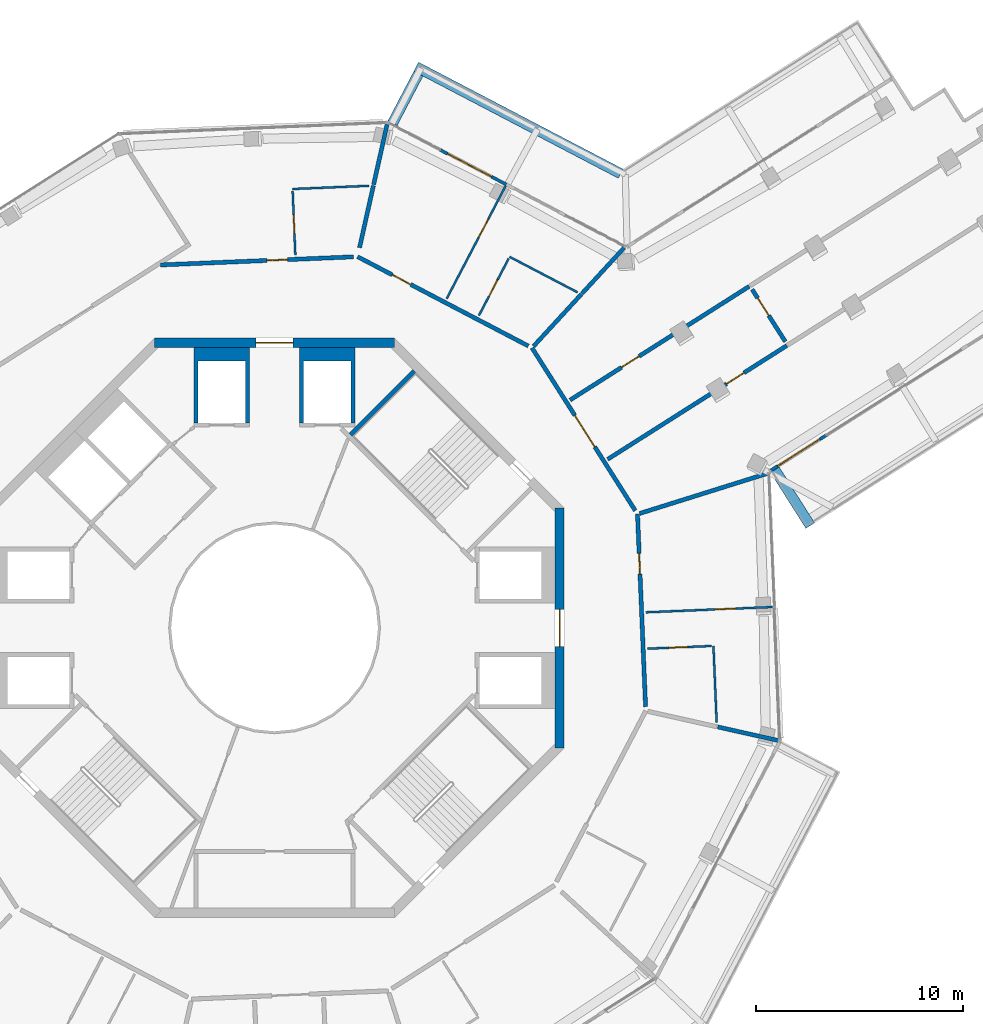
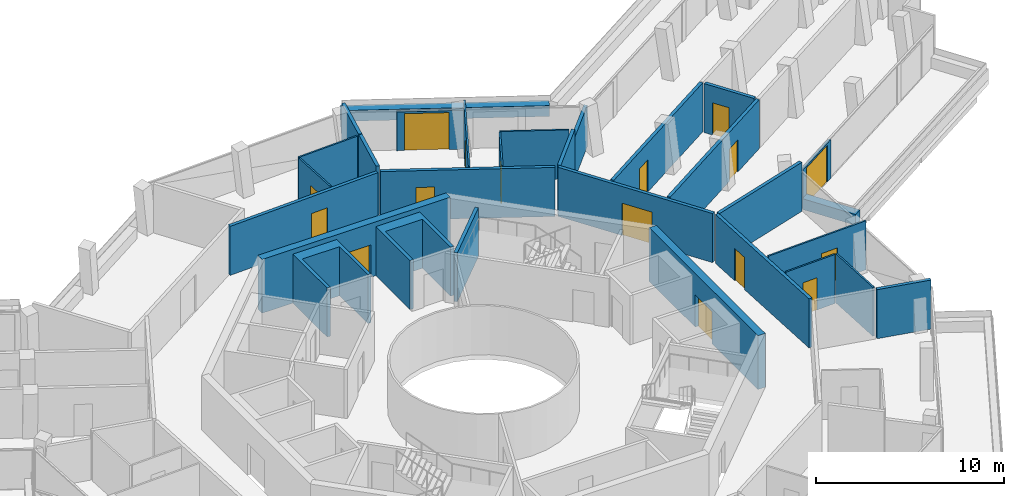
# One storey, part 19 of 23: 31 walls, 16 doors, 16 openings.
"""IFC4 building model written with IfcOpenShell, lengths in metres."""

from ifc_helpers import new_model, si_unit, direction, frame, frame_2d, origin, place, context, subcontext, project, spatial, polyline, rectangle, outline, extrude, material, layer, layer_set, type_object, element, fill, save


model = new_model("IFC4")

# Units and contexts
model_context = context("Model", 3, precision=1e-05, world=origin(), true_north=direction((0.0, 1.0)))
body_context = subcontext(model_context, "Body", "Model", "MODEL_VIEW")
ifc_project = project(units=[si_unit("LENGTHUNIT", "METRE"), si_unit("AREAUNIT", "SQUARE_METRE"), si_unit("VOLUMEUNIT", "CUBIC_METRE"), si_unit("PLANEANGLEUNIT", "RADIAN"), si_unit("MASSUNIT", "GRAM", prefix="KILO")], contexts=[model_context])

# Site, building, storey
site_placement = place(None, origin())
site = spatial("IfcSite", under=ifc_project, at=site_placement, CompositionType="ELEMENT")
building_placement = place(site_placement, origin())
building = spatial("IfcBuilding", under=site, at=building_placement, Name="Verdalira Terraces Hotel", CompositionType="ELEMENT")
storey_placement = place(building_placement, frame((0.0, 0.0, 288.0)))
storey = spatial("IfcBuildingStorey", under=building, at=storey_placement, Name="L71", CompositionType="ELEMENT", Elevation=288.0)

# Walls
ifc_material_1 = material(Name="Concrete C40", Category="concrete")
ifc_layer_1 = layer(ifc_material_1, 0.5)
ifc_layer_set_1 = layer_set([ifc_layer_1], Name="Balcony planter trough with tree")
wall_type_1 = type_object("IfcWallType", Name="Balcony planter trough with tree", PredefinedType="SOLIDWALL", material=ifc_layer_set_1)
wall_1_placement = place(storey_placement, frame((24.176514, 7.643311, 0.0), z_axis=(0.0, 0.0, 1.0), x_axis=(0.535803515, -0.844342699, 0.0)))
element("IfcWall", 1, at=wall_1_placement, inside=storey, type_object=wall_type_1, Name="Balcony planter", PredefinedType="SOLIDWALL", context=body_context, shape_type="SweptSolid", body=[
    extrude(rectangle(XDim=3.199219, YDim=0.5, at=frame_2d((1.599609, 0.0))), origin(), (0.0, 0.0, 1.0), 0.699951),
])
wall_2_placement = place(storey_placement, frame((16.728516, 21.956543, 0.0), z_axis=(0.0, 0.0, 1.0), x_axis=(-0.886198889, 0.463305007, 0.0)))
element("IfcWall", 2, at=wall_2_placement, inside=storey, type_object=wall_type_1, Name="Balcony planter", PredefinedType="SOLIDWALL", context=body_context, shape_type="SweptSolid", body=[
    extrude(rectangle(XDim=11.152344, YDim=0.5, at=frame_2d((5.576172, 0.0))), origin(), (0.0, 0.0, 1.0), 0.699951),
])
wall_3_placement = place(storey_placement, frame((6.950928, 26.786133, 0.0), z_axis=(0.0, 0.0, 1.0), x_axis=(-0.463313949, -0.886194214, 0.0)))
element("IfcWall", 3, at=wall_3_placement, inside=storey, type_object=wall_type_1, Name="Balcony planter", PredefinedType="SOLIDWALL", context=body_context, shape_type="SweptSolid", body=[
    extrude(rectangle(XDim=2.698975, YDim=0.5, at=frame_2d((1.349609, 0.0))), origin(), (0.0, 0.0, 1.0), 0.699951),
])

# Wall, opening, door
ifc_material_2 = material(Name="Moisture-resistant gypsum board partition")
ifc_layer_2 = layer(ifc_material_2, 0.10009765625)
ifc_layer_set_2 = layer_set([ifc_layer_2], Name="Bathroom partition 100 mm")
wall_type_2 = type_object("IfcWallType", Name="Bathroom partition 100 mm", PredefinedType="PARTITIONING", material=ifc_layer_set_2)
wall_4_placement = place(storey_placement, frame((0.875, 21.113525, 0.0), z_axis=(0.0, 0.0, 1.0), x_axis=(0.041895869, -0.999121983, 0.0)))
wall_4 = element("IfcWall", 4, at=wall_4_placement, inside=storey, type_object=wall_type_2, Name="Bathroom partition", PredefinedType="PARTITIONING", context=body_context, shape_type="SweptSolid", body=[
    extrude(rectangle(XDim=3.100098, YDim=0.100098, at=frame_2d((1.550049, 0.0))), origin(), (0.0, 0.0, 1.0), 3.189941),
])
opening_1_placement = place(wall_4_placement, frame((1.149902, 0.0, 0.0)))
opening_1 = element("IfcOpeningElement", 5, at=opening_1_placement, cuts=wall_4, Name="Opening L71-132", PredefinedType="OPENING", context=body_context, shape_type="SweptSolid", body=[
    extrude(rectangle(XDim=0.899902, YDim=2.100098, at=frame_2d((0.449951, 1.050049))), frame((0.0, 0.060059, 0.0), z_axis=(0.0, -1.0, 0.0), x_axis=(1.0, 0.0, 0.0)), (0.0, 0.0, 1.0), 0.120117),
])
ifc_material_3 = material(Name="Timber door", Category="wood")
door_type_1 = type_object("IfcDoorType", Name="Bathroom door 900 x 2100", OperationType="NOTDEFINED", PredefinedType="DOOR", material=ifc_material_3)
door_1_placement = place(opening_1_placement, origin())
door_1 = element("IfcDoor", 6, at=door_1_placement, inside=storey, type_object=door_type_1, Name="Bathroom door 7111", OperationType="SINGLE_SWING_LEFT", OverallHeight=2.10009765625, OverallWidth=0.89990234375, PredefinedType="DOOR", context=body_context, shape_type="SweptSolid", body=[
    extrude(rectangle(XDim=0.899902, YDim=2.100098, at=frame_2d((0.449951, 1.050049))), frame((0.0, 0.024902, 0.0), z_axis=(0.0, -1.0, 0.0), x_axis=(1.0, 0.0, 0.0)), (0.0, 0.0, 1.0), 0.050049),
])
fill(opening_1, door_1)

# Wall
wall_5_placement = place(storey_placement, frame((0.87085, 21.213379, 0.0), z_axis=(0.0, 0.0, 1.0), x_axis=(0.99912368, 0.041855359, 0.0)))
element("IfcWall", 7, at=wall_5_placement, inside=storey, type_object=wall_type_2, Name="Bathroom partition", PredefinedType="PARTITIONING", context=body_context, shape_type="SweptSolid", body=[
    extrude(rectangle(XDim=3.703857, YDim=0.100098, at=frame_2d((1.852051, 0.0))), origin(), (0.0, 0.0, 1.0), 3.189941),
])

# Wall, opening, door
wall_6_placement = place(storey_placement, frame((11.169189, 21.36499, 0.0), z_axis=(0.0, 0.0, 1.0), x_axis=(-0.46327405, -0.886215072, 0.0)))
wall_6 = element("IfcWall", 8, at=wall_6_placement, inside=storey, type_object=wall_type_2, Name="Bathroom partition", PredefinedType="PARTITIONING", context=body_context, shape_type="SweptSolid", body=[
    extrude(rectangle(XDim=6.149902, YDim=0.100098, at=frame_2d((3.074951, 0.0))), origin(), (0.0, 0.0, 1.0), 3.189941),
])
opening_2_placement = place(wall_6_placement, frame((1.800049, 0.0, 0.0)))
opening_2 = element("IfcOpeningElement", 9, at=opening_2_placement, cuts=wall_6, Name="Opening L71-129", PredefinedType="OPENING", context=body_context, shape_type="SweptSolid", body=[
    extrude(rectangle(XDim=1.0, YDim=2.100098, at=frame_2d((0.5, 1.050049))), frame((0.0, 0.060059, 0.0), z_axis=(0.0, -1.0, 0.0), x_axis=(1.0, 0.0, 0.0)), (0.0, 0.0, 1.0), 0.120117),
])
ifc_material_4 = material(Name="Timber door", Category="wood")
door_type_2 = type_object("IfcDoorType", Name="Suite internal door 1000 x 2100", OperationType="NOTDEFINED", PredefinedType="DOOR", material=ifc_material_4)
door_2_placement = place(opening_2_placement, origin())
door_2 = element("IfcDoor", 10, at=door_2_placement, inside=storey, type_object=door_type_2, Name="Suite internal door 7110", OperationType="SINGLE_SWING_LEFT", OverallHeight=2.10009765625, OverallWidth=1.0, PredefinedType="DOOR", context=body_context, shape_type="SweptSolid", body=[
    extrude(rectangle(XDim=1.0, YDim=2.100098, at=frame_2d((0.5, 1.050049))), frame((0.0, 0.024902, 0.0), z_axis=(0.0, -1.0, 0.0), x_axis=(1.0, 0.0, 0.0)), (0.0, 0.0, 1.0), 0.050049),
])
fill(opening_2, door_2)

wall_7_placement = place(storey_placement, frame((11.314453, 17.847412, 0.0), z_axis=(0.0, 0.0, 1.0), x_axis=(-0.463238746, -0.886233527, 0.0)))
wall_7 = element("IfcWall", 11, at=wall_7_placement, inside=storey, type_object=wall_type_2, Name="Bathroom partition", PredefinedType="PARTITIONING", context=body_context, shape_type="SweptSolid", body=[
    extrude(rectangle(XDim=3.100098, YDim=0.100098, at=frame_2d((1.550049, 0.0))), origin(), (0.0, 0.0, 1.0), 3.189941),
])
opening_3_placement = place(wall_7_placement, frame((1.149902, 0.0, 0.0)))
opening_3 = element("IfcOpeningElement", 12, at=opening_3_placement, cuts=wall_7, Name="Opening L71-130", PredefinedType="OPENING", context=body_context, shape_type="SweptSolid", body=[
    extrude(rectangle(XDim=0.899902, YDim=2.100098, at=frame_2d((0.449951, 1.050049))), frame((0.0, 0.060059, 0.0), z_axis=(0.0, -1.0, 0.0), x_axis=(1.0, 0.0, 0.0)), (0.0, 0.0, 1.0), 0.120117),
])
door_3_placement = place(opening_3_placement, origin())
door_3 = element("IfcDoor", 13, at=door_3_placement, inside=storey, type_object=door_type_1, Name="Bathroom door 7110", OperationType="SINGLE_SWING_LEFT", OverallHeight=2.10009765625, OverallWidth=0.89990234375, PredefinedType="DOOR", context=body_context, shape_type="SweptSolid", body=[
    extrude(rectangle(XDim=0.899902, YDim=2.100098, at=frame_2d((0.449951, 1.050049))), frame((0.0, 0.024902, 0.0), z_axis=(0.0, -1.0, 0.0), x_axis=(1.0, 0.0, 0.0)), (0.0, 0.0, 1.0), 0.050049),
])
fill(opening_3, door_3)

# Wall
wall_8_placement = place(storey_placement, frame((14.643311, 16.219971, 0.0), z_axis=(0.0, 0.0, 1.0), x_axis=(-0.886200227, 0.463302447, 0.0)))
element("IfcWall", 14, at=wall_8_placement, inside=storey, type_object=wall_type_2, Name="Bathroom partition", PredefinedType="PARTITIONING", context=body_context, shape_type="SweptSolid", body=[
    extrude(rectangle(XDim=3.704102, YDim=0.100098, at=frame_2d((1.852051, 0.0))), origin(), (0.0, 0.0, 1.0), 3.189941),
])

# Wall, opening, door
wall_9_placement = place(storey_placement, frame((21.113525, -0.875, 0.0), z_axis=(0.0, 0.0, 1.0), x_axis=(-0.999121983, -0.041895869, 0.0)))
wall_9 = element("IfcWall", 15, at=wall_9_placement, inside=storey, type_object=wall_type_2, Name="Bathroom partition", PredefinedType="PARTITIONING", context=body_context, shape_type="SweptSolid", body=[
    extrude(rectangle(XDim=3.100098, YDim=0.100098, at=frame_2d((1.550049, 0.0))), origin(), (0.0, 0.0, 1.0), 3.189941),
])
opening_4_placement = place(wall_9_placement, frame((1.149902, 0.0, 0.0)))
opening_4 = element("IfcOpeningElement", 16, at=opening_4_placement, cuts=wall_9, Name="Opening L71-123", PredefinedType="OPENING", context=body_context, shape_type="SweptSolid", body=[
    extrude(rectangle(XDim=0.899902, YDim=2.100098, at=frame_2d((0.449951, 1.050049))), frame((0.0, 0.060059, 0.0), z_axis=(0.0, -1.0, 0.0), x_axis=(1.0, 0.0, 0.0)), (0.0, 0.0, 1.0), 0.120117),
])
door_4_placement = place(opening_4_placement, origin())
door_4 = element("IfcDoor", 17, at=door_4_placement, inside=storey, type_object=door_type_1, Name="Bathroom door 7108", OperationType="SINGLE_SWING_LEFT", OverallHeight=2.10009765625, OverallWidth=0.89990234375, PredefinedType="DOOR", context=body_context, shape_type="SweptSolid", body=[
    extrude(rectangle(XDim=0.899902, YDim=2.100098, at=frame_2d((0.449951, 1.050049))), frame((0.0, 0.024902, 0.0), z_axis=(0.0, -1.0, 0.0), x_axis=(1.0, 0.0, 0.0)), (0.0, 0.0, 1.0), 0.050049),
])
fill(opening_4, door_4)

wall_10_placement = place(storey_placement, frame((24.087158, 1.009521, 0.0), z_axis=(0.0, 0.0, 1.0), x_axis=(-0.999122584, -0.041881529, 0.0)))
wall_10 = element("IfcWall", 18, at=wall_10_placement, inside=storey, type_object=wall_type_2, Name="Bathroom partition", PredefinedType="PARTITIONING", context=body_context, shape_type="SweptSolid", body=[
    extrude(rectangle(XDim=6.149902, YDim=0.100098, at=frame_2d((3.074951, 0.0))), origin(), (0.0, 0.0, 1.0), 3.189941),
])
opening_5_placement = place(wall_10_placement, frame((1.800049, 0.0, 0.0)))
opening_5 = element("IfcOpeningElement", 19, at=opening_5_placement, cuts=wall_10, Name="Opening L71-122", PredefinedType="OPENING", context=body_context, shape_type="SweptSolid", body=[
    extrude(rectangle(XDim=1.0, YDim=2.100098, at=frame_2d((0.5, 1.050049))), frame((0.0, 0.060059, 0.0), z_axis=(0.0, -1.0, 0.0), x_axis=(1.0, 0.0, 0.0)), (0.0, 0.0, 1.0), 0.120117),
])
door_5_placement = place(opening_5_placement, origin())
door_5 = element("IfcDoor", 20, at=door_5_placement, inside=storey, type_object=door_type_2, Name="Suite internal door 7108", OperationType="SINGLE_SWING_LEFT", OverallHeight=2.10009765625, OverallWidth=1.0, PredefinedType="DOOR", context=body_context, shape_type="SweptSolid", body=[
    extrude(rectangle(XDim=1.0, YDim=2.100098, at=frame_2d((0.5, 1.050049))), frame((0.0, 0.024902, 0.0), z_axis=(0.0, -1.0, 0.0), x_axis=(1.0, 0.0, 0.0)), (0.0, 0.0, 1.0), 0.050049),
])
fill(opening_5, door_5)

# Walls
wall_11_placement = place(storey_placement, frame((21.368408, -4.571533, 0.0), z_axis=(0.0, 0.0, 1.0), x_axis=(-0.041855359, 0.99912368, 0.0)))
element("IfcWall", 21, at=wall_11_placement, inside=storey, type_object=wall_type_2, Name="Bathroom partition", PredefinedType="PARTITIONING", context=body_context, shape_type="SweptSolid", body=[
    extrude(rectangle(XDim=3.703857, YDim=0.100098, at=frame_2d((1.852051, 0.0))), origin(), (0.0, 0.0, 1.0), 3.189941),
])
ifc_material_5 = material(Name="Concrete C50", Category="concrete")
ifc_layer_3 = layer(ifc_material_5, 0.199951171875)
ifc_layer_set_3 = layer_set([ifc_layer_3], Name="Core RC wall 200 C50")
wall_type_3 = type_object("IfcWallType", Name="Core RC wall 200 C50", PredefinedType="SOLIDWALL", material=ifc_layer_set_3)
wall_12_placement = place(storey_placement, origin())
element("IfcWall", 22, at=wall_12_placement, inside=storey, type_object=wall_type_3, Name="L71 shaft wall N1", PredefinedType="SOLIDWALL", context=body_context, shape_type="SweptSolid", body=[
    extrude(outline(polyline([(3.899902, 9.899902), (3.699951, 9.899902), (3.699951, 12.899902), (1.399902, 12.899902), (1.399902, 9.899902), (1.199951, 9.899902), (1.199951, 13.550049), (3.899902, 13.550049), (3.899902, 9.899902)])), origin(), (0.0, 0.0, 1.0), 3.189941),
])
wall_13_placement = place(storey_placement, origin())
element("IfcWall", 23, at=wall_13_placement, inside=storey, type_object=wall_type_3, Name="L71 shaft wall N2", PredefinedType="SOLIDWALL", context=body_context, shape_type="SweptSolid", body=[
    extrude(outline(polyline([(-3.899902, 13.550049), (-1.199951, 13.550049), (-1.199951, 9.899902), (-1.399902, 9.899902), (-1.399902, 12.899902), (-3.699951, 12.899902), (-3.699951, 9.899902), (-3.899902, 9.899902), (-3.899902, 13.550049)])), origin(), (0.0, 0.0, 1.0), 3.189941),
])
wall_14_placement = place(storey_placement, frame((3.677002, 9.33374, 0.0), z_axis=(0.0, 0.0, 1.0), x_axis=(0.707106781, 0.707106781, 0.0)))
element("IfcWall", 24, at=wall_14_placement, inside=storey, type_object=wall_type_3, Name="L71 stair ST1 end wall 2", PredefinedType="SOLIDWALL", context=body_context, shape_type="SweptSolid", body=[
    extrude(rectangle(XDim=4.350098, YDim=0.199951, at=frame_2d((2.175049, 0.0))), origin(), (0.0, 0.0, 1.0), 3.189941),
])

# Wall, opening, door
ifc_material_6 = material(Name="Concrete C50", Category="concrete")
ifc_layer_4 = layer(ifc_material_6, 0.449951171875)
ifc_layer_set_4 = layer_set([ifc_layer_4], Name="Core wall 450 C50")
wall_type_4 = type_object("IfcWallType", Name="Core wall 450 C50", PredefinedType="SHEAR", material=ifc_layer_set_4)
wall_15_placement = place(storey_placement, frame((13.774902, -5.799072, 0.0), z_axis=(0.0, 0.0, 1.0), x_axis=(0.0, 1.0, 0.0)))
wall_15 = element("IfcWall", 25, at=wall_15_placement, inside=storey, type_object=wall_type_4, Name="Core wall CW-L71-1", PredefinedType="SHEAR", context=body_context, shape_type="SweptSolid", body=[
    extrude(rectangle(XDim=11.598145, YDim=0.449951, at=frame_2d((5.799072, 0.0))), origin(), (0.0, 0.0, 1.0), 3.5),
])
opening_6_placement = place(wall_15_placement, frame((4.898926, 0.0, 0.0)))
opening_6 = element("IfcOpeningElement", 26, at=opening_6_placement, cuts=wall_15, Name="Opening L71-813", PredefinedType="OPENING", context=body_context, shape_type="SweptSolid", body=[
    extrude(rectangle(XDim=1.800049, YDim=2.100098, at=frame_2d((0.899902, 1.050049))), frame((0.0, 0.234863, 0.0), z_axis=(0.0, -1.0, 0.0), x_axis=(1.0, 0.0, 0.0)), (0.0, 0.0, 1.0), 0.469971),
])
ifc_material_7 = material(Name="Steel fire door", Category="steel")
door_type_3 = type_object("IfcDoorType", Name="Core entry door pair 1800 x 2100", OperationType="NOTDEFINED", PredefinedType="DOOR", material=ifc_material_7)
door_6_placement = place(opening_6_placement, origin())
door_6 = element("IfcDoor", 27, at=door_6_placement, inside=storey, type_object=door_type_3, Name="Core entry door L71 0", OperationType="DOUBLE_DOOR_SINGLE_SWING", OverallHeight=2.10009765625, OverallWidth=1.800048828125, PredefinedType="DOOR", context=body_context, shape_type="SweptSolid", body=[
    extrude(rectangle(XDim=1.800049, YDim=2.100098, at=frame_2d((0.899902, 1.050049))), frame((0.0, 0.024902, 0.0), z_axis=(0.0, -1.0, 0.0), x_axis=(1.0, 0.0, 0.0)), (0.0, 0.0, 1.0), 0.050049),
])
fill(opening_6, door_6)

wall_16_placement = place(storey_placement, frame((5.799072, 13.774902, 0.0), z_axis=(0.0, 0.0, 1.0), x_axis=(-1.0, 0.0, 0.0)))
wall_16 = element("IfcWall", 28, at=wall_16_placement, inside=storey, type_object=wall_type_4, Name="Core wall CW-L71-3", PredefinedType="SHEAR", context=body_context, shape_type="SweptSolid", body=[
    extrude(rectangle(XDim=11.598145, YDim=0.449951, at=frame_2d((5.799072, 0.0))), origin(), (0.0, 0.0, 1.0), 3.5),
])
opening_7_placement = place(wall_16_placement, frame((4.898926, 0.0, 0.0)))
opening_7 = element("IfcOpeningElement", 29, at=opening_7_placement, cuts=wall_16, Name="Opening L71-814", PredefinedType="OPENING", context=body_context, shape_type="SweptSolid", body=[
    extrude(rectangle(XDim=1.800049, YDim=2.100098, at=frame_2d((0.899902, 1.050049))), frame((0.0, 0.234863, 0.0), z_axis=(0.0, -1.0, 0.0), x_axis=(1.0, 0.0, 0.0)), (0.0, 0.0, 1.0), 0.469971),
])
door_7_placement = place(opening_7_placement, origin())
door_7 = element("IfcDoor", 30, at=door_7_placement, inside=storey, type_object=door_type_3, Name="Core entry door L71 2", OperationType="DOUBLE_DOOR_SINGLE_SWING", OverallHeight=2.10009765625, OverallWidth=1.800048828125, PredefinedType="DOOR", context=body_context, shape_type="SweptSolid", body=[
    extrude(rectangle(XDim=1.800049, YDim=2.100098, at=frame_2d((0.899902, 1.050049))), frame((0.0, 0.024902, 0.0), z_axis=(0.0, -1.0, 0.0), x_axis=(1.0, 0.0, 0.0)), (0.0, 0.0, 1.0), 0.050049),
])
fill(opening_7, door_7)

# Walls
ifc_material_8 = material(Name="Fire-rated gypsum board wall")
ifc_layer_5 = layer(ifc_material_8, 0.199951171875)
ifc_layer_set_5 = layer_set([ifc_layer_5], Name="Demising wall 200 mm")
wall_type_5 = type_object("IfcWallType", Name="Demising wall 200 mm", PredefinedType="SOLIDWALL", material=ifc_layer_set_5)
wall_17_placement = place(storey_placement, frame((4.108154, 18.378418, 0.0), z_axis=(0.0, 0.0, 1.0), x_axis=(0.218115714, 0.975922915, 0.0)))
element("IfcWall", 31, at=wall_17_placement, inside=storey, type_object=wall_type_5, Name="Demising wall", PredefinedType="SOLIDWALL", context=body_context, shape_type="SweptSolid", body=[
    extrude(rectangle(XDim=3.074707, YDim=0.199951, at=frame_2d((1.537354, 0.0))), origin(), (0.0, 0.0, 1.0), 3.189941),
])
wall_18_placement = place(storey_placement, frame((4.788818, 21.424072, 0.0), z_axis=(0.0, 0.0, 1.0), x_axis=(0.218175034, 0.975909655, 0.0)))
element("IfcWall", 32, at=wall_18_placement, inside=storey, type_object=wall_type_5, Name="Demising wall", PredefinedType="SOLIDWALL", context=body_context, shape_type="SweptSolid", body=[
    extrude(rectangle(XDim=3.01123, YDim=0.199951, at=frame_2d((1.505615, 0.0))), origin(), (0.0, 0.0, 1.0), 3.189941),
])
wall_19_placement = place(storey_placement, frame((12.514404, 13.609131, 0.0), z_axis=(0.0, 0.0, 1.0), x_axis=(0.676846081, 0.73612457, 0.0)))
element("IfcWall", 33, at=wall_19_placement, inside=storey, type_object=wall_type_5, Name="Demising wall", PredefinedType="SOLIDWALL", context=body_context, shape_type="SweptSolid", body=[
    extrude(rectangle(XDim=3.418457, YDim=0.199951, at=frame_2d((1.709229, 0.0))), origin(), (0.0, 0.0, 1.0), 3.189941),
])

# Wall, opening, door
wall_20_placement = place(storey_placement, frame((14.281494, 11.010986, 0.0), z_axis=(0.0, 0.0, 1.0), x_axis=(0.844321754, 0.535836519, 0.0)))
wall_20 = element("IfcWall", 34, at=wall_20_placement, inside=storey, type_object=wall_type_5, Name="Demising wall", PredefinedType="SOLIDWALL", context=body_context, shape_type="SweptSolid", body=[
    extrude(rectangle(XDim=10.251953, YDim=0.199951, at=frame_2d((5.125977, 0.0))), origin(), (0.0, 0.0, 1.0), 3.189941),
])
opening_8_placement = place(wall_20_placement, frame((2.949951, 0.0, 0.0)))
opening_8 = element("IfcOpeningElement", 35, at=opening_8_placement, cuts=wall_20, Name="Opening L71-126", PredefinedType="OPENING", context=body_context, shape_type="SweptSolid", body=[
    extrude(rectangle(XDim=1.0, YDim=2.100098, at=frame_2d((0.5, 1.050049))), frame((0.0, 0.109863, 0.0), z_axis=(0.0, -1.0, 0.0), x_axis=(1.0, 0.0, 0.0)), (0.0, 0.0, 1.0), 0.219971),
])
ifc_material_9 = material(Name="Timber fire door", Category="wood")
door_type_4 = type_object("IfcDoorType", Name="Public room door 1000 x 2100", OperationType="NOTDEFINED", PredefinedType="DOOR", material=ifc_material_9)
door_8_placement = place(opening_8_placement, origin())
door_8 = element("IfcDoor", 36, at=door_8_placement, inside=storey, type_object=door_type_4, Name="Public room door 7109", OperationType="SINGLE_SWING_LEFT", OverallHeight=2.10009765625, OverallWidth=1.0, PredefinedType="DOOR", context=body_context, shape_type="SweptSolid", body=[
    extrude(rectangle(XDim=1.0, YDim=2.100098, at=frame_2d((0.5, 1.050049))), frame((0.0, 0.024902, 0.0), z_axis=(0.0, -1.0, 0.0), x_axis=(1.0, 0.0, 0.0)), (0.0, 0.0, 1.0), 0.050049),
])
fill(opening_8, door_8)

wall_21_placement = place(storey_placement, frame((24.754883, 13.640869, 0.0), z_axis=(0.0, 0.0, 1.0), x_axis=(-0.844332528, -0.535819543, 0.0)))
wall_21 = element("IfcWall", 37, at=wall_21_placement, inside=storey, type_object=wall_type_5, Name="Demising wall", PredefinedType="SOLIDWALL", context=body_context, shape_type="SweptSolid", body=[
    extrude(rectangle(XDim=10.251953, YDim=0.199951, at=frame_2d((5.125977, 0.0))), origin(), (0.0, 0.0, 1.0), 3.189941),
])
opening_9_placement = place(wall_21_placement, frame((2.449951, 0.0, 0.0)))
opening_9 = element("IfcOpeningElement", 38, at=opening_9_placement, cuts=wall_21, Name="Opening L71-125", PredefinedType="OPENING", context=body_context, shape_type="SweptSolid", body=[
    extrude(rectangle(XDim=1.0, YDim=2.100098, at=frame_2d((0.5, 1.050049))), frame((0.0, 0.109863, 0.0), z_axis=(0.0, -1.0, 0.0), x_axis=(1.0, 0.0, 0.0)), (0.0, 0.0, 1.0), 0.219971),
])
door_9_placement = place(opening_9_placement, origin())
door_9 = element("IfcDoor", 39, at=door_9_placement, inside=storey, type_object=door_type_4, Name="Public room door 7109", OperationType="SINGLE_SWING_LEFT", OverallHeight=2.10009765625, OverallWidth=1.0, PredefinedType="DOOR", context=body_context, shape_type="SweptSolid", body=[
    extrude(rectangle(XDim=1.0, YDim=2.100098, at=frame_2d((0.5, 1.050049))), frame((0.0, 0.024902, 0.0), z_axis=(0.0, -1.0, 0.0), x_axis=(1.0, 0.0, 0.0)), (0.0, 0.0, 1.0), 0.050049),
])
fill(opening_9, door_9)

# Walls
wall_22_placement = place(storey_placement, frame((23.821777, 7.465332, 0.0), z_axis=(0.0, 0.0, 1.0), x_axis=(-0.954240184, -0.299041252, 0.0)))
element("IfcWall", 40, at=wall_22_placement, inside=storey, type_object=wall_type_5, Name="Demising wall", PredefinedType="SOLIDWALL", context=body_context, shape_type="SweptSolid", body=[
    extrude(rectangle(XDim=6.47583, YDim=0.199951, at=frame_2d((3.237793, 0.0))), origin(), (0.0, 0.0, 1.0), 3.189941),
])
wall_23_placement = place(storey_placement, frame((21.424072, -4.788818, 0.0), z_axis=(0.0, 0.0, 1.0), x_axis=(0.975909655, -0.218175034, 0.0)))
element("IfcWall", 41, at=wall_23_placement, inside=storey, type_object=wall_type_5, Name="Demising wall", PredefinedType="SOLIDWALL", context=body_context, shape_type="SweptSolid", body=[
    extrude(rectangle(XDim=3.01123, YDim=0.199951, at=frame_2d((1.505615, 0.0))), origin(), (0.0, 0.0, 1.0), 3.189941),
])

# Wall, opening, door
wall_24_placement = place(storey_placement, frame((23.085205, 16.361084, 0.0), z_axis=(0.0, 0.0, 1.0), x_axis=(0.535877026, -0.844296046, 0.0)))
wall_24 = element("IfcWall", 42, at=wall_24_placement, inside=storey, type_object=wall_type_5, Name="Demising wall", PredefinedType="SOLIDWALL", context=body_context, shape_type="SweptSolid", body=[
    extrude(rectangle(XDim=2.991455, YDim=0.199951, at=frame_2d((1.495605, 0.0))), origin(), (0.0, 0.0, 1.0), 3.189941),
])
opening_10_placement = place(wall_24_placement, frame((0.5, 0.0, 0.0)))
opening_10 = element("IfcOpeningElement", 43, at=opening_10_placement, cuts=wall_24, Name="Opening L71-127", PredefinedType="OPENING", context=body_context, shape_type="SweptSolid", body=[
    extrude(rectangle(XDim=1.0, YDim=2.100098, at=frame_2d((0.5, 1.050049))), frame((0.0, 0.109863, 0.0), z_axis=(0.0, -1.0, 0.0), x_axis=(1.0, 0.0, 0.0)), (0.0, 0.0, 1.0), 0.219971),
])
door_10_placement = place(opening_10_placement, origin())
door_10 = element("IfcDoor", 44, at=door_10_placement, inside=storey, type_object=door_type_4, Name="Public room door 7109", OperationType="SINGLE_SWING_LEFT", OverallHeight=2.10009765625, OverallWidth=1.0, PredefinedType="DOOR", context=body_context, shape_type="SweptSolid", body=[
    extrude(rectangle(XDim=1.0, YDim=2.100098, at=frame_2d((0.5, 1.050049))), frame((0.0, 0.024902, 0.0), z_axis=(0.0, -1.0, 0.0), x_axis=(1.0, 0.0, 0.0)), (0.0, 0.0, 1.0), 0.050049),
])
fill(opening_10, door_10)

# Wall
ifc_material_10 = material(Name="Fire-rated gypsum board wall")
ifc_layer_6 = layer(ifc_material_10, 0.199951171875)
ifc_layer_set_6 = layer_set([ifc_layer_6], Name="Demising wall 200 mm to beam soffit")
wall_type_6 = type_object("IfcWallType", Name="Demising wall 200 mm to beam soffit", PredefinedType="SOLIDWALL", material=ifc_layer_set_6)
wall_25_placement = place(storey_placement, frame((14.859131, 16.15918, 0.0), z_axis=(0.0, 0.0, 1.0), x_axis=(0.676898458, 0.736076407, 0.0)))
element("IfcWall", 45, at=wall_25_placement, inside=storey, type_object=wall_type_6, Name="Demising wall", PredefinedType="SOLIDWALL", context=body_context, shape_type="SweptSolid", body=[
    extrude(rectangle(XDim=3.011719, YDim=0.199951, at=frame_2d((1.505859, 0.0))), origin(), (0.0, 0.0, 1.0), 2.689941),
])

# Wall, opening, door
ifc_material_11 = material(Name="Fire-rated gypsum board wall")
ifc_layer_7 = layer(ifc_material_11, 0.199951171875)
ifc_layer_set_7 = layer_set([ifc_layer_7], Name="Guest corridor wall 200 mm")
wall_type_7 = type_object("IfcWallType", Name="Guest corridor wall 200 mm", PredefinedType="SOLIDWALL", material=ifc_layer_set_7)
wall_26_placement = place(storey_placement, frame((-5.517822, 17.542725, 0.0), z_axis=(0.0, 0.0, 1.0), x_axis=(0.999123302, 0.041864388, 0.0)))
wall_26 = element("IfcWall", 46, at=wall_26_placement, inside=storey, type_object=wall_type_7, Name="Guest corridor wall", PredefinedType="SOLIDWALL", context=body_context, shape_type="SweptSolid", body=[
    extrude(rectangle(XDim=9.33667, YDim=0.199951, at=frame_2d((4.668457, 0.0))), origin(), (0.0, 0.0, 1.0), 3.189941),
])
opening_11_placement = place(wall_26_placement, frame((5.149902, 0.0, 0.0)))
opening_11 = element("IfcOpeningElement", 47, at=opening_11_placement, cuts=wall_26, Name="Opening L71-131", PredefinedType="OPENING", context=body_context, shape_type="SweptSolid", body=[
    extrude(rectangle(XDim=1.0, YDim=2.100098, at=frame_2d((0.5, 1.050049))), frame((0.0, 0.109863, 0.0), z_axis=(0.0, -1.0, 0.0), x_axis=(1.0, 0.0, 0.0)), (0.0, 0.0, 1.0), 0.219971),
])
ifc_material_12 = material(Name="Timber fire door", Category="wood")
door_type_5 = type_object("IfcDoorType", Name="Guest entry door 1000 x 2100", OperationType="NOTDEFINED", PredefinedType="DOOR", material=ifc_material_12)
door_11_placement = place(opening_11_placement, origin())
door_11 = element("IfcDoor", 48, at=door_11_placement, inside=storey, type_object=door_type_5, Name="Guest entry door 7111", OperationType="SINGLE_SWING_LEFT", OverallHeight=2.10009765625, OverallWidth=1.0, PredefinedType="DOOR", context=body_context, shape_type="SweptSolid", body=[
    extrude(rectangle(XDim=1.0, YDim=2.100098, at=frame_2d((0.5, 1.050049))), frame((0.0, 0.024902, 0.0), z_axis=(0.0, -1.0, 0.0), x_axis=(1.0, 0.0, 0.0)), (0.0, 0.0, 1.0), 0.050049),
])
fill(opening_11, door_11)

wall_27_placement = place(storey_placement, frame((4.010498, 17.941895, 0.0), z_axis=(0.0, 0.0, 1.0), x_axis=(0.886205149, -0.463293032, 0.0)))
wall_27 = element("IfcWall", 49, at=wall_27_placement, inside=storey, type_object=wall_type_7, Name="Guest corridor wall", PredefinedType="SOLIDWALL", context=body_context, shape_type="SweptSolid", body=[
    extrude(rectangle(XDim=9.316895, YDim=0.199951, at=frame_2d((4.658447, 0.0))), origin(), (0.0, 0.0, 1.0), 3.189941),
])
opening_12_placement = place(wall_27_placement, frame((1.899902, 0.0, 0.0)))
opening_12 = element("IfcOpeningElement", 50, at=opening_12_placement, cuts=wall_27, Name="Opening L71-128", PredefinedType="OPENING", context=body_context, shape_type="SweptSolid", body=[
    extrude(rectangle(XDim=1.0, YDim=2.100098, at=frame_2d((0.5, 1.050049))), frame((0.0, 0.109863, 0.0), z_axis=(0.0, -1.0, 0.0), x_axis=(1.0, 0.0, 0.0)), (0.0, 0.0, 1.0), 0.219971),
])
door_12_placement = place(opening_12_placement, origin())
door_12 = element("IfcDoor", 51, at=door_12_placement, inside=storey, type_object=door_type_5, Name="Guest entry door 7110", OperationType="SINGLE_SWING_LEFT", OverallHeight=2.10009765625, OverallWidth=1.0, PredefinedType="DOOR", context=body_context, shape_type="SweptSolid", body=[
    extrude(rectangle(XDim=1.0, YDim=2.100098, at=frame_2d((0.5, 1.050049))), frame((0.0, 0.024902, 0.0), z_axis=(0.0, -1.0, 0.0), x_axis=(1.0, 0.0, 0.0)), (0.0, 0.0, 1.0), 0.050049),
])
fill(opening_12, door_12)

wall_28_placement = place(storey_placement, frame((12.444092, 13.532959, 0.0), z_axis=(0.0, 0.0, 1.0), x_axis=(0.535837373, -0.844321212, 0.0)))
wall_28 = element("IfcWall", 52, at=wall_28_placement, inside=storey, type_object=wall_type_7, Name="Guest corridor wall", PredefinedType="SOLIDWALL", context=body_context, shape_type="SweptSolid", body=[
    extrude(rectangle(XDim=9.31665, YDim=0.199951, at=frame_2d((4.658203, 0.0))), origin(), (0.0, 0.0, 1.0), 3.189941),
])
opening_13_placement = place(wall_28_placement, frame((3.86377, 0.0, 0.0)))
opening_13 = element("IfcOpeningElement", 53, at=opening_13_placement, cuts=wall_28, Name="Opening L71-124", PredefinedType="OPENING", context=body_context, shape_type="SweptSolid", body=[
    extrude(rectangle(XDim=1.800049, YDim=2.100098, at=frame_2d((0.899902, 1.050049))), frame((0.0, 0.109863, 0.0), z_axis=(0.0, -1.0, 0.0), x_axis=(1.0, 0.0, 0.0)), (0.0, 0.0, 1.0), 0.219971),
])
ifc_material_13 = material(Name="Timber fire door", Category="wood")
door_type_6 = type_object("IfcDoorType", Name="Public room double door 1800 x 2100", OperationType="NOTDEFINED", PredefinedType="DOOR", material=ifc_material_13)
door_13_placement = place(opening_13_placement, origin())
door_13 = element("IfcDoor", 54, at=door_13_placement, inside=storey, type_object=door_type_6, Name="Public room double door 7109", OperationType="DOUBLE_DOOR_SINGLE_SWING", OverallHeight=2.10009765625, OverallWidth=1.800048828125, PredefinedType="DOOR", context=body_context, shape_type="SweptSolid", body=[
    extrude(rectangle(XDim=1.800049, YDim=2.100098, at=frame_2d((0.899902, 1.050049))), frame((0.0, 0.024902, 0.0), z_axis=(0.0, -1.0, 0.0), x_axis=(1.0, 0.0, 0.0)), (0.0, 0.0, 1.0), 0.050049),
])
fill(opening_13, door_13)

wall_29_placement = place(storey_placement, frame((17.543457, 5.497803, 0.0), z_axis=(0.0, 0.0, 1.0), x_axis=(0.041874694, -0.99912287, 0.0)))
wall_29 = element("IfcWall", 55, at=wall_29_placement, inside=storey, type_object=wall_type_7, Name="Guest corridor wall", PredefinedType="SOLIDWALL", context=body_context, shape_type="SweptSolid", body=[
    extrude(rectangle(XDim=9.31665, YDim=0.199951, at=frame_2d((4.658203, 0.0))), origin(), (0.0, 0.0, 1.0), 3.189941),
])
opening_14_placement = place(wall_29_placement, frame((1.899902, 0.0, 0.0)))
opening_14 = element("IfcOpeningElement", 56, at=opening_14_placement, cuts=wall_29, Name="Opening L71-121", PredefinedType="OPENING", context=body_context, shape_type="SweptSolid", body=[
    extrude(rectangle(XDim=1.0, YDim=2.100098, at=frame_2d((0.5, 1.050049))), frame((0.0, 0.109863, 0.0), z_axis=(0.0, -1.0, 0.0), x_axis=(1.0, 0.0, 0.0)), (0.0, 0.0, 1.0), 0.219971),
])
door_14_placement = place(opening_14_placement, origin())
door_14 = element("IfcDoor", 57, at=door_14_placement, inside=storey, type_object=door_type_5, Name="Guest entry door 7108", OperationType="SINGLE_SWING_LEFT", OverallHeight=2.10009765625, OverallWidth=1.0, PredefinedType="DOOR", context=body_context, shape_type="SweptSolid", body=[
    extrude(rectangle(XDim=1.0, YDim=2.100098, at=frame_2d((0.5, 1.050049))), frame((0.0, 0.024902, 0.0), z_axis=(0.0, -1.0, 0.0), x_axis=(1.0, 0.0, 0.0)), (0.0, 0.0, 1.0), 0.050049),
])
fill(opening_14, door_14)

ifc_material_14 = material(Name="Terracotta cladding", Category="masonry")
ifc_layer_8 = layer(ifc_material_14, 0.14990234375)
ifc_layer_set_8 = layer_set([ifc_layer_8], Name="Terracotta door pier 150")
wall_type_8 = type_object("IfcWallType", Name="Terracotta door pier 150", PredefinedType="SOLIDWALL", material=ifc_layer_set_8)
wall_30_placement = place(storey_placement, frame((23.983887, 7.611084, 0.0), z_axis=(0.0, 0.0, 1.0), x_axis=(0.844317471, 0.535843268, 0.0)))
wall_30 = element("IfcWall", 58, at=wall_30_placement, inside=storey, type_object=wall_type_8, Name="Terracotta door pier", PredefinedType="SOLIDWALL", context=body_context, shape_type="SweptSolid", body=[
    extrude(rectangle(XDim=3.199707, YDim=0.149902, at=frame_2d((1.599854, 0.0))), origin(), (0.0, 0.0, 1.0), 2.524902),
])
opening_15_placement = place(wall_30_placement, frame((0.399902, 0.0, 0.0)))
opening_15 = element("IfcOpeningElement", 59, at=opening_15_placement, cuts=wall_30, Name="Opening L71-B12", PredefinedType="OPENING", context=body_context, shape_type="SweptSolid", body=[
    extrude(rectangle(XDim=2.399902, YDim=2.399902, at=frame_2d((1.199951, 1.199951))), frame((0.0, 0.084961, 0.0), z_axis=(0.0, -1.0, 0.0), x_axis=(1.0, 0.0, 0.0)), (0.0, 0.0, 1.0), 0.169922),
])
ifc_material_15 = material(Name="Clear glass", Category="glass")
door_type_7 = type_object("IfcDoorType", Name="Balcony sliding door 2400x2400", OperationType="NOTDEFINED", PredefinedType="DOOR", material=ifc_material_15)
door_15_placement = place(opening_15_placement, origin())
door_15 = element("IfcDoor", 60, at=door_15_placement, inside=storey, type_object=door_type_7, Name="Balcony sliding door", OperationType="SLIDING_TO_LEFT", OverallHeight=2.39990234375, OverallWidth=2.39990234375, PredefinedType="DOOR", context=body_context, shape_type="SweptSolid", body=[
    extrude(rectangle(XDim=2.399902, YDim=2.399902, at=frame_2d((1.199951, 1.199951))), frame((0.0, 0.024902, 0.0), z_axis=(0.0, -1.0, 0.0), x_axis=(1.0, 0.0, 0.0)), (0.0, 0.0, 1.0), 0.050049),
])
fill(opening_15, door_15)

wall_31_placement = place(storey_placement, frame((11.204102, 21.431396, 0.0), z_axis=(0.0, 0.0, 1.0), x_axis=(-0.886209674, 0.463284377, 0.0)))
wall_31 = element("IfcWall", 61, at=wall_31_placement, inside=storey, type_object=wall_type_8, Name="Terracotta door pier", PredefinedType="SOLIDWALL", context=body_context, shape_type="SweptSolid", body=[
    extrude(rectangle(XDim=3.611328, YDim=0.149902, at=frame_2d((1.805664, 0.0))), origin(), (0.0, 0.0, 1.0), 2.524902),
])
opening_16_placement = place(wall_31_placement, frame((0.811279, 0.0, 0.0)))
opening_16 = element("IfcOpeningElement", 62, at=opening_16_placement, cuts=wall_31, Name="Opening L71-B17", PredefinedType="OPENING", context=body_context, shape_type="SweptSolid", body=[
    extrude(rectangle(XDim=2.399902, YDim=2.399902, at=frame_2d((1.199951, 1.199951))), frame((0.0, 0.084961, 0.0), z_axis=(0.0, -1.0, 0.0), x_axis=(1.0, 0.0, 0.0)), (0.0, 0.0, 1.0), 0.169922),
])
door_16_placement = place(opening_16_placement, origin())
door_16 = element("IfcDoor", 63, at=door_16_placement, inside=storey, type_object=door_type_7, Name="Balcony sliding door", OperationType="SLIDING_TO_LEFT", OverallHeight=2.39990234375, OverallWidth=2.39990234375, PredefinedType="DOOR", context=body_context, shape_type="SweptSolid", body=[
    extrude(rectangle(XDim=2.399902, YDim=2.399902, at=frame_2d((1.199951, 1.199951))), frame((0.0, 0.024902, 0.0), z_axis=(0.0, -1.0, 0.0), x_axis=(1.0, 0.0, 0.0)), (0.0, 0.0, 1.0), 0.050049),
])
fill(opening_16, door_16)

save(model, "model.ifc")
